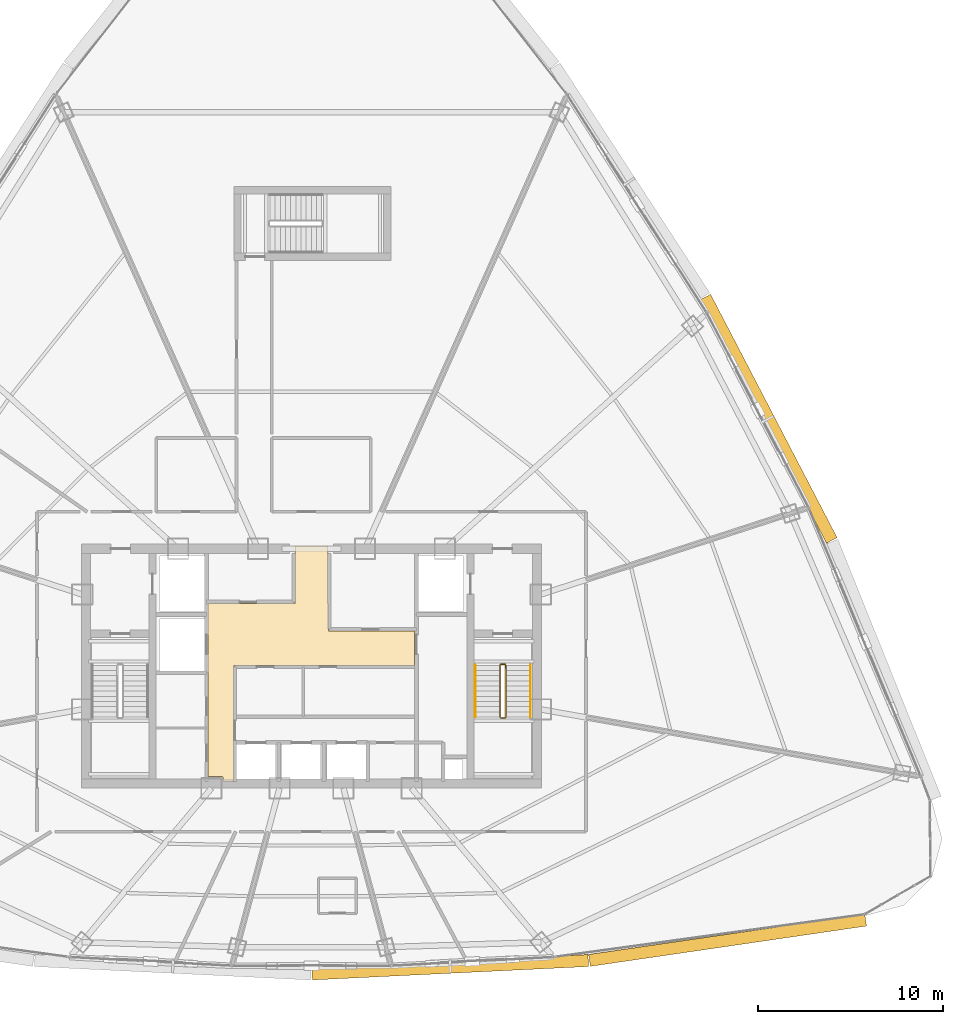
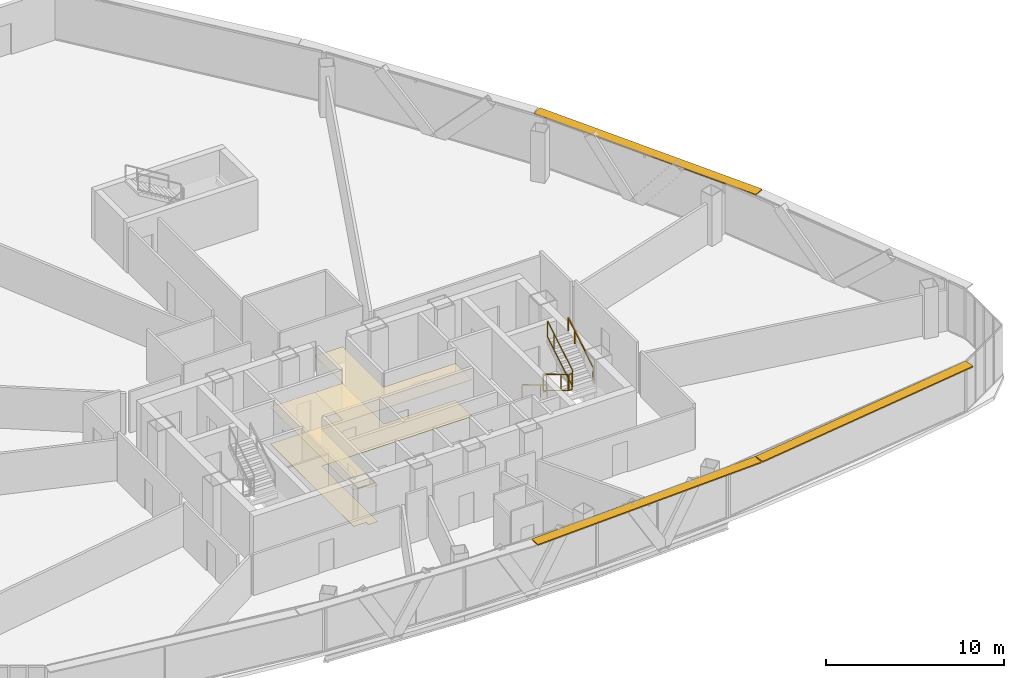
# One storey, part 34 of 36: 6 railings, 3 shading devices, 2 coverings.
"""IFC4 building model written with IfcOpenShell, lengths in metres."""

from ifc_helpers import new_model, si_unit, direction, frame, origin, origin_2d, place, context, subcontext, project, spatial, polyline, rectangle, outline, extrude, source, transform, mapped, material, layer, layer_set, type_object, element, save


model = new_model("IFC4")

# Units and contexts
model_context = context("Model", 3, precision=1e-05, world=origin(), true_north=direction((0.0, 1.0)))
body_context = subcontext(model_context, "Body", "Model", "MODEL_VIEW")
ifc_project = project(units=[si_unit("LENGTHUNIT", "METRE"), si_unit("AREAUNIT", "SQUARE_METRE"), si_unit("VOLUMEUNIT", "CUBIC_METRE"), si_unit("PLANEANGLEUNIT", "RADIAN"), si_unit("MASSUNIT", "GRAM", prefix="KILO"), si_unit("THERMODYNAMICTEMPERATUREUNIT", "KELVIN"), si_unit("POWERUNIT", "WATT")], contexts=[model_context])

# Site, building, storey
site_placement = place(None, origin())
site = spatial("IfcSite", under=ifc_project, at=site_placement, CompositionType="ELEMENT")
building_placement = place(site_placement, origin())
building = spatial("IfcBuilding", under=site, at=building_placement, Name="Yunzhuo Pagoda Commons", CompositionType="ELEMENT")
storey_placement = place(building_placement, frame((0.0, 0.0, 263.179931640625)))
storey = spatial("IfcBuildingStorey", under=building, at=storey_placement, Name="L66", CompositionType="ELEMENT", Elevation=263.179931640625)

# Coverings
ifc_material_1 = material(Name="Perforated gypsum acoustic ceiling tile")
ifc_layer_1 = layer(ifc_material_1, 0.030029296875)
ifc_layer_set_1 = layer_set([ifc_layer_1], Name="Perforated gypsum acoustic ceiling tile")
covering_type_1 = type_object("IfcCoveringType", Name="COV-CL2 Ceiling 30", PredefinedType="CEILING", material=ifc_layer_set_1)
covering_1_placement = place(storey_placement, frame((0.0, 0.0, 2.52001953125)))
element("IfcCovering", 1, at=covering_1_placement, inside=storey, type_object=covering_type_1, Name="L66 lift lobby acoustic ceiling", PredefinedType="CEILING", context=body_context, shape_type="SweptSolid", body=[
    extrude(outline(polyline([(42.39990234375, 37.25), (47.10009765625, 37.25), (47.10009765625, 40.35009765625), (48.89990234375, 40.35009765625), (48.89990234375, 37.25), (48.919921875, 37.25), (48.919921875, 35.75), (53.580078125, 35.75), (53.580078125, 33.89990234375), (43.820068359375, 33.89990234375), (43.820068359375, 27.60009765625), (43.207763671875, 27.60009765625), (43.207763671875, 27.85009765625), (43.201904296875, 27.864013671875), (43.187744140625, 27.8701171875), (42.39990234375, 27.8701171875), (42.39990234375, 33.89990234375), (42.39990234375, 37.25)])), origin(), (0.0, 0.0, 1.0), 0.030029296875),
])
ifc_material_2 = material(Name="Resilient acoustic studio flooring")
ifc_layer_2 = layer(ifc_material_2, 0.01806640625)
ifc_layer_set_2 = layer_set([ifc_layer_2], Name="Resilient acoustic studio flooring")
covering_type_2 = type_object("IfcCoveringType", Name="COV-FL3 Flooring 18", PredefinedType="FLOORING", material=ifc_layer_set_2)
covering_2_placement = place(storey_placement, origin())
element("IfcCovering", 2, at=covering_2_placement, inside=storey, type_object=covering_type_2, Name="L66 lift lobby flooring", PredefinedType="FLOORING", context=body_context, shape_type="SweptSolid", body=[
    extrude(outline(polyline([(42.39990234375, 37.25), (47.10009765625, 37.25), (47.10009765625, 40.35009765625), (48.89990234375, 40.35009765625), (48.89990234375, 37.25), (48.919921875, 37.25), (48.919921875, 35.75), (53.580078125, 35.75), (53.580078125, 33.89990234375), (43.820068359375, 33.89990234375), (43.820068359375, 27.60009765625), (43.207763671875, 27.60009765625), (43.207763671875, 27.85009765625), (43.201904296875, 27.864013671875), (43.187744140625, 27.8701171875), (42.39990234375, 27.8701171875), (42.39990234375, 33.89990234375), (42.39990234375, 37.25)])), origin(), (0.0, 0.0, 1.0), 0.01806640625),
])

# Railings
ifc_material_3 = material(Name="Anodized aluminium 6063-T6", Category="aluminium")
railing_type_1 = type_object("IfcRailingType", Name="GR-ST2 Stair Well Guardrail 1160", PredefinedType="GUARDRAIL", material=ifc_material_3)
railing_1_placement = place(storey_placement, frame((58.199951171875, 33.89990234375, 0.169677734375)))
element("IfcRailing", 3, at=railing_1_placement, inside=storey, type_object=railing_type_1, Name="L66 ST2 stair guard 1", PredefinedType="GUARDRAIL", context=body_context, shape_type="SweptSolid", body=[
    extrude(rectangle(XDim=0.048095703125, YDim=0.048095703125, at=origin_2d()), frame((0.0, 0.0, 1.1259765625), z_axis=(0.0, -0.855406155521, 0.517957825596), x_axis=(1.0, 0.0, 0.0)), (0.0, 0.0, 1.0), 3.27294921875),
    extrude(rectangle(XDim=0.048095703125, YDim=0.048095703125, at=origin_2d()), frame((0.0, 0.0, 0.02392578125), z_axis=(0.0, -0.855406155521, 0.517957825596), x_axis=(1.0, 0.0, 0.0)), (0.0, 0.0, 1.0), 3.27294921875),
    extrude(rectangle(XDim=0.0419921875, YDim=0.0419921875, at=origin_2d()), origin(), (0.0, 0.0, 1.0), 1.101806640625),
    extrude(rectangle(XDim=0.0419921875, YDim=0.0419921875, at=origin_2d()), frame((0.0, -2.052978515625, 1.2431640625)), (0.0, 0.0, 1.0), 1.101806640625),
    extrude(rectangle(XDim=0.0419921875, YDim=0.0419921875, at=origin_2d()), frame((0.0, -2.7998046875, 1.6953125)), (0.0, 0.0, 1.0), 1.101806640625),
])
railing_2_placement = place(storey_placement, frame((58.25, 31.050048828125, 1.864990234375)))
element("IfcRailing", 4, at=railing_2_placement, inside=storey, type_object=railing_type_1, Name="L66 ST2 stair guard 2", PredefinedType="GUARDRAIL", context=body_context, shape_type="SweptSolid", body=[
    extrude(rectangle(XDim=0.048095703125, YDim=0.048095703125, at=origin_2d()), frame((0.0, 0.0, 1.1259765625), z_axis=(1.0, 0.0, 0.0), x_axis=(0.0, 1.0, 0.0)), (0.0, 0.0, 1.0), 0.199951171875),
    extrude(rectangle(XDim=0.048095703125, YDim=0.048095703125, at=origin_2d()), frame((0.0, 0.0, 0.02392578125), z_axis=(1.0, 0.0, 0.0), x_axis=(0.0, 1.0, 0.0)), (0.0, 0.0, 1.0), 0.199951171875),
    extrude(rectangle(XDim=0.0419921875, YDim=0.0419921875, at=origin_2d()), origin(), (0.0, 0.0, 1.0), 1.101806640625),
    extrude(rectangle(XDim=0.0419921875, YDim=0.0419921875, at=origin_2d()), frame((0.199951171875, 0.0, 0.0)), (0.0, 0.0, 1.0), 1.101806640625),
])
railing_3_placement = place(storey_placement, frame((58.5, 31.10009765625, 2.03466796875)))
element("IfcRailing", 5, at=railing_3_placement, inside=storey, type_object=railing_type_1, Name="L66 ST2 stair guard 3", PredefinedType="GUARDRAIL", context=body_context, shape_type="SweptSolid", body=[
    extrude(rectangle(XDim=0.048095703125, YDim=0.048095703125, at=origin_2d()), frame((0.0, 0.0, 1.1259765625), z_axis=(0.0, 0.855406155521, 0.517957825596), x_axis=(-1.0, 0.0, 0.0)), (0.0, 0.0, 1.0), 3.27294921875),
    extrude(rectangle(XDim=0.048095703125, YDim=0.048095703125, at=origin_2d()), frame((0.0, 0.0, 0.02392578125), z_axis=(0.0, 0.855406155521, 0.517957825596), x_axis=(-1.0, 0.0, 0.0)), (0.0, 0.0, 1.0), 3.27294921875),
    extrude(rectangle(XDim=0.0419921875, YDim=0.0419921875, at=origin_2d()), origin(), (0.0, 0.0, 1.0), 1.101806640625),
    extrude(rectangle(XDim=0.0419921875, YDim=0.0419921875, at=origin_2d()), frame((0.0, 2.052978515625, 1.2431640625)), (0.0, 0.0, 1.0), 1.101806640625),
    extrude(rectangle(XDim=0.0419921875, YDim=0.0419921875, at=origin_2d()), frame((0.0, 2.7998046875, 1.6953125)), (0.0, 0.0, 1.0), 1.101806640625),
])
railing_4_placement = place(storey_placement, frame((58.25, 33.949951171875, 0.0)))
element("IfcRailing", 6, at=railing_4_placement, inside=storey, type_object=railing_type_1, Name="L66 ST2 stair guard 4", PredefinedType="GUARDRAIL", context=body_context, shape_type="SweptSolid", body=[
    extrude(rectangle(XDim=0.048095703125, YDim=0.048095703125, at=origin_2d()), frame((0.0, 0.0, 1.1259765625), z_axis=(1.0, 0.0, 0.0), x_axis=(0.0, 1.0, 0.0)), (0.0, 0.0, 1.0), 0.199951171875),
    extrude(rectangle(XDim=0.048095703125, YDim=0.048095703125, at=origin_2d()), frame((0.0, 0.0, 0.02392578125), z_axis=(1.0, 0.0, 0.0), x_axis=(0.0, 1.0, 0.0)), (0.0, 0.0, 1.0), 0.199951171875),
    extrude(rectangle(XDim=0.0419921875, YDim=0.0419921875, at=origin_2d()), origin(), (0.0, 0.0, 1.0), 1.101806640625),
    extrude(rectangle(XDim=0.0419921875, YDim=0.0419921875, at=origin_2d()), frame((0.199951171875, 0.0, 0.0)), (0.0, 0.0, 1.0), 1.101806640625),
])
railing_type_2 = type_object("IfcRailingType", Name="HR-ST2 Stair Handrail 900", PredefinedType="HANDRAIL", material=ifc_material_3)
railing_5_placement = place(storey_placement, frame((56.85009765625, 33.89990234375, 0.169677734375)))
element("IfcRailing", 7, at=railing_5_placement, inside=storey, type_object=railing_type_2, Name="L66 ST2 stair handrail 1", PredefinedType="HANDRAIL", context=body_context, shape_type="SweptSolid", body=[
    extrude(rectangle(XDim=0.048095703125, YDim=0.048095703125, at=origin_2d()), frame((0.0, 0.0, 0.8759765625), z_axis=(0.0, -0.855406155521, 0.517957825596), x_axis=(1.0, 0.0, 0.0)), (0.0, 0.0, 1.0), 3.27294921875),
    extrude(rectangle(XDim=0.0419921875, YDim=0.0419921875, at=origin_2d()), origin(), (0.0, 0.0, 1.0), 0.851806640625),
    extrude(rectangle(XDim=0.0419921875, YDim=0.0419921875, at=origin_2d()), frame((0.0, -2.052978515625, 1.2431640625)), (0.0, 0.0, 1.0), 0.851806640625),
    extrude(rectangle(XDim=0.0419921875, YDim=0.0419921875, at=origin_2d()), frame((0.0, -2.7998046875, 1.6953125)), (0.0, 0.0, 1.0), 0.851806640625),
])
railing_6_placement = place(storey_placement, frame((59.85009765625, 31.10009765625, 2.03466796875)))
element("IfcRailing", 8, at=railing_6_placement, inside=storey, type_object=railing_type_2, Name="L66 ST2 stair handrail 2", PredefinedType="HANDRAIL", context=body_context, shape_type="SweptSolid", body=[
    extrude(rectangle(XDim=0.048095703125, YDim=0.048095703125, at=origin_2d()), frame((0.0, 0.0, 0.8759765625), z_axis=(0.0, 0.855406155521, 0.517957825596), x_axis=(-1.0, 0.0, 0.0)), (0.0, 0.0, 1.0), 3.27294921875),
    extrude(rectangle(XDim=0.0419921875, YDim=0.0419921875, at=origin_2d()), origin(), (0.0, 0.0, 1.0), 0.851806640625),
    extrude(rectangle(XDim=0.0419921875, YDim=0.0419921875, at=origin_2d()), frame((0.0, 2.052978515625, 1.2431640625)), (0.0, 0.0, 1.0), 0.851806640625),
    extrude(rectangle(XDim=0.0419921875, YDim=0.0419921875, at=origin_2d()), frame((0.0, 2.7998046875, 1.6953125)), (0.0, 0.0, 1.0), 0.851806640625),
])

# Shading devices
ifc_layer_3 = layer(ifc_material_3, 0.080078125)
ifc_layer_set_3 = layer_set([ifc_layer_3], Name="Anodized aluminium 6063-T6")
shading_device_type = type_object("IfcShadingDeviceType", Name="SH-SUN1 Pagoda Horizontal Sunshade Eave 650", PredefinedType="USERDEFINED", material=ifc_layer_set_3)
shared_shape_1 = source(origin(), body_context, "Body", "SweptSolid", [
    extrude(rectangle(XDim=15.102294921875, YDim=0.64990234375, at=origin_2d()), origin(), (0.0, 0.0, 1.0), 0.080078125),
])
shading_device_1_placement = place(storey_placement, frame((70.510009765625, 19.023193359375, 3.39013671875), z_axis=(0.0, 0.0, 1.0), x_axis=(0.989510666697, 0.144459823108, 0.0)))
element("IfcShadingDevice", 9, at=shading_device_1_placement, inside=storey, type_object=shading_device_type, Name="L66 horizontal pagoda sunshade eave F1.4", ObjectType="SUNSHADE", PredefinedType="USERDEFINED", context=body_context, shape_type="MappedRepresentation", body=[
    mapped(shared_shape_1, transform((0.0, 0.0, 0.0), scale=1.0)),
])
shared_shape_2 = source(origin(), body_context, "Body", "SweptSolid", [
    extrude(rectangle(XDim=14.961181640625, YDim=0.64990234375, at=origin_2d()), origin(), (0.0, 0.0, 1.0), 0.080078125),
])
shading_device_2_placement = place(storey_placement, frame((55.50341796875, 17.5625, 3.39013671875), z_axis=(0.0, 0.0, 1.0), x_axis=(0.998818043775, 0.04860571396, 0.0)))
element("IfcShadingDevice", 10, at=shading_device_2_placement, inside=storey, type_object=shading_device_type, Name="L66 horizontal pagoda sunshade eave F1.3", ObjectType="SUNSHADE", PredefinedType="USERDEFINED", context=body_context, shape_type="MappedRepresentation", body=[
    mapped(shared_shape_2, transform((0.0, 0.0, 0.0), scale=1.0)),
])
shared_shape_3 = source(origin(), body_context, "Body", "SweptSolid", [
    extrude(rectangle(XDim=14.838623046875, YDim=0.64990234375, at=origin_2d()), origin(), (0.0, 0.0, 1.0), 0.080078125),
])
shading_device_3_placement = place(storey_placement, frame((72.7255859375, 47.236572265625, 3.39013671875), z_axis=(0.0, 0.0, 1.0), x_axis=(-0.461206683033, 0.88729273384, 0.0)))
element("IfcShadingDevice", 11, at=shading_device_3_placement, inside=storey, type_object=shading_device_type, Name="L66 horizontal pagoda sunshade eave F2.2", ObjectType="SUNSHADE", PredefinedType="USERDEFINED", context=body_context, shape_type="MappedRepresentation", body=[
    mapped(shared_shape_3, transform((0.0, 0.0, 0.0), scale=1.0)),
])

save(model, "model.ifc")
